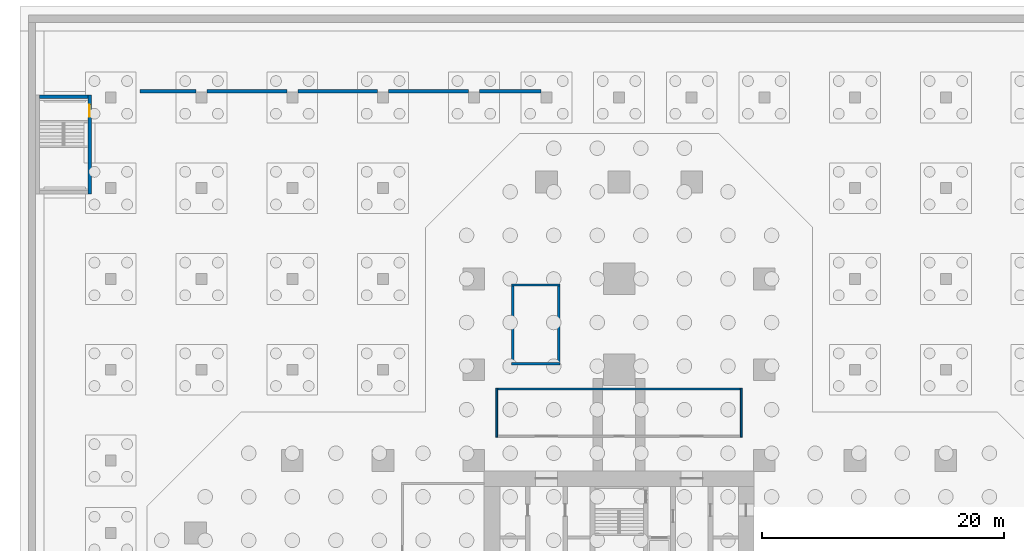
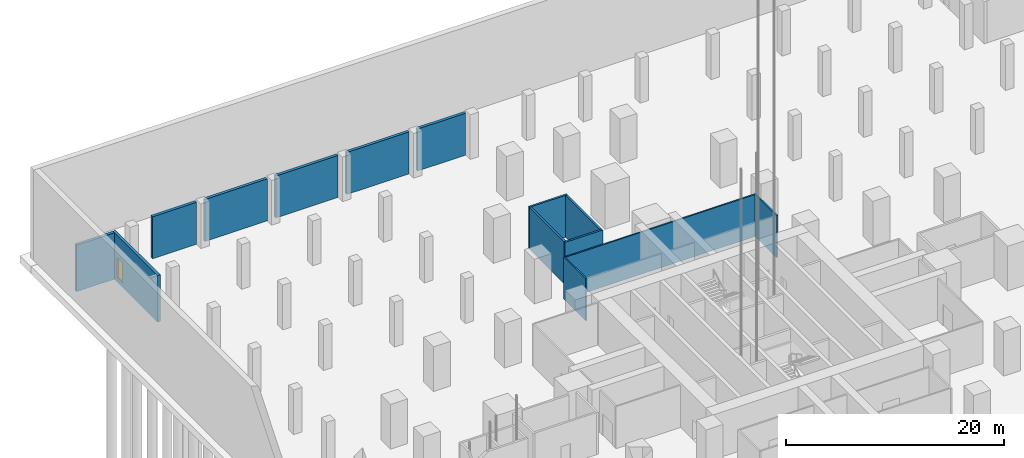
# One storey, part 13 of 31: 14 walls, 1 door, 1 opening.
"""IFC4 building model written with IfcOpenShell, lengths in metres."""

from ifc_helpers import new_model, si_unit, direction, frame, frame_2d, origin, place, context, subcontext, project, spatial, rectangle, extrude, material, layer, layer_set, type_object, element, fill, save


model = new_model("IFC4")

# Units and contexts
model_context = context("Model", 3, precision=1e-05, world=origin(), true_north=direction((0.0, 1.0)))
body_context = subcontext(model_context, "Body", "Model", "MODEL_VIEW")
ifc_project = project(units=[si_unit("LENGTHUNIT", "METRE"), si_unit("AREAUNIT", "SQUARE_METRE"), si_unit("VOLUMEUNIT", "CUBIC_METRE"), si_unit("PLANEANGLEUNIT", "RADIAN"), si_unit("MASSUNIT", "GRAM", prefix="KILO")], contexts=[model_context])

# Site, building, storey
site_placement = place(None, origin())
site = spatial("IfcSite", under=ifc_project, at=site_placement, CompositionType="ELEMENT")
building_placement = place(site_placement, origin())
building = spatial("IfcBuilding", under=site, at=building_placement, Name="Mizan Broadcast Tower", CompositionType="ELEMENT")
storey_placement = place(building_placement, frame((0.0, 0.0, -10.0)))
storey = spatial("IfcBuildingStorey", under=building, at=storey_placement, Name="B2", CompositionType="ELEMENT", Elevation=-10.0)

# Walls
ifc_material_1 = material(Name="Concrete blockwork", Category="masonry")
ifc_layer_1 = layer(ifc_material_1, 0.199951171875)
ifc_layer_set_1 = layer_set([ifc_layer_1], Name="Concrete blockwork")
wall_type_1 = type_object("IfcWallType", Name="LIFT SHAFT WALL 200", PredefinedType="SOLIDWALL", material=ifc_layer_set_1)
for number, where, z_axis, x_axis, name in (
    (1, (-4.89990234375, 20.0, 0.0), (0.0, 0.0, 1.0), (-1.0, 0.0, 0.0), "Lift shaft wall GLS/U0"),
    (2, (-8.89990234375, 26.5, 0.0), (0.0, 0.0, 1.0), (1.0, 0.0, 0.0), "Lift shaft wall GLS/U1"),
):
    element("IfcWall", number, at=place(storey_placement, frame(where, z_axis=z_axis, x_axis=x_axis)), inside=storey, type_object=wall_type_1, Name=name, PredefinedType="SOLIDWALL", context=body_context, shape_type="SweptSolid", body=[
        extrude(rectangle(XDim=4.0, YDim=0.199951171875, at=frame_2d((2.0, 0.0))), origin(), (0.0, 0.0, 1.0), 4.699951171875),
    ])
for number, where, z_axis, x_axis, name in (
    (3, (-5.0, 20.10009765625, 0.0), (0.0, 0.0, 1.0), (0.0, 1.0, 0.0), "Lift shaft wall GLS/V0"),
    (4, (-8.800048828125, 26.39990234375, 0.0), (0.0, 0.0, 1.0), (0.0, -1.0, 0.0), "Lift shaft wall GLS/V1"),
):
    element("IfcWall", number, at=place(storey_placement, frame(where, z_axis=z_axis, x_axis=x_axis)), inside=storey, type_object=wall_type_1, Name=name, PredefinedType="SOLIDWALL", context=body_context, shape_type="SweptSolid", body=[
        extrude(rectangle(XDim=6.2998046875, YDim=0.199951171875, at=frame_2d((3.14990234375, 0.0))), origin(), (0.0, 0.0, 1.0), 4.699951171875),
    ])
ifc_material_2 = material(Name="Concrete blockwork", Category="masonry")
ifc_layer_2 = layer(ifc_material_2, 0.14990234375)
ifc_layer_set_2 = layer_set([ifc_layer_2], Name="Concrete blockwork")
wall_type_2 = type_object("IfcWallType", Name="PLANT ROOM ENCLOSURE WALL 150", PredefinedType="SOLIDWALL", material=ifc_layer_set_2)
for number, where, z_axis, x_axis, name in (
    (5, (10.10009765625, 13.925048828125, 0.0), (0.0, 0.0, 1.0), (0.0, 1.0, 0.0), "Plant room wall PT/NS"),
    (6, (-10.10009765625, 13.925048828125, 0.0), (0.0, 0.0, 1.0), (0.0, 1.0, 0.0), "Plant room wall PT/NN"),
):
    element("IfcWall", number, at=place(storey_placement, frame(where, z_axis=z_axis, x_axis=x_axis)), inside=storey, type_object=wall_type_2, Name=name, PredefinedType="SOLIDWALL", context=body_context, shape_type="SweptSolid", body=[
        extrude(rectangle(XDim=4.050048828125, YDim=0.14990234375, at=frame_2d((2.02490234375, 0.0))), origin(), (0.0, 0.0, 1.0), 4.699951171875),
    ])
wall_1_placement = place(storey_placement, frame((10.02490234375, 17.89990234375, 0.0), z_axis=(0.0, 0.0, 1.0), x_axis=(-1.0, 0.0, 0.0)))
element("IfcWall", 7, at=wall_1_placement, inside=storey, type_object=wall_type_2, Name="Plant room wall PT/NX", PredefinedType="SOLIDWALL", context=body_context, shape_type="SweptSolid", body=[
    extrude(rectangle(XDim=20.0498046875, YDim=0.14990234375, at=frame_2d((10.02490234375, 0.0))), origin(), (0.0, 0.0, 1.0), 4.699951171875),
])
ifc_material_3 = material(Name="Concrete C70/85", Category="concrete")
ifc_layer_3 = layer(ifc_material_3, 0.300048828125)
ifc_layer_set_3 = layer_set([ifc_layer_3], Name="Concrete C70/85")
wall_type_3 = type_object("IfcWallType", Name="RAMP WALL 300", PredefinedType="SOLIDWALL", material=ifc_layer_set_3)
wall_2_placement = place(storey_placement, frame((-39.60009765625, 42.5, 0.0), z_axis=(0.0, 0.0, 1.0), x_axis=(1.0, 0.0, 0.0)))
element("IfcWall", 8, at=wall_2_placement, inside=storey, type_object=wall_type_3, Name="Car ramp wall base 1", PredefinedType="SOLIDWALL", context=body_context, shape_type="SweptSolid", body=[
    extrude(rectangle(XDim=4.650146484375, YDim=0.300048828125, at=frame_2d((2.3251953125, 0.0))), origin(), (0.0, 0.0, 1.0), 4.699951171875),
])
for number, where, z_axis, x_axis, name in (
    (9, (-34.050048828125, 42.5, 0.0), (0.0, 0.0, 1.0), (1.0, 0.0, 0.0), "Car ramp wall base 2"),
    (10, (-26.550048828125, 42.5, 0.0), (0.0, 0.0, 1.0), (1.0, 0.0, 0.0), "Car ramp wall base 3"),
    (11, (-19.050048828125, 42.5, 0.0), (0.0, 0.0, 1.0), (1.0, 0.0, 0.0), "Car ramp wall base 4"),
):
    element("IfcWall", number, at=place(storey_placement, frame(where, z_axis=z_axis, x_axis=x_axis)), inside=storey, type_object=wall_type_3, Name=name, PredefinedType="SOLIDWALL", context=body_context, shape_type="SweptSolid", body=[
        extrude(rectangle(XDim=6.60009765625, YDim=0.300048828125, at=frame_2d((3.300048828125, 0.0))), origin(), (0.0, 0.0, 1.0), 4.699951171875),
    ])
wall_3_placement = place(storey_placement, frame((-11.550048828125, 42.5, 0.0), z_axis=(0.0, 0.0, 1.0), x_axis=(1.0, 0.0, 0.0)))
element("IfcWall", 12, at=wall_3_placement, inside=storey, type_object=wall_type_3, Name="Car ramp wall base 5", PredefinedType="SOLIDWALL", context=body_context, shape_type="SweptSolid", body=[
    extrude(rectangle(XDim=5.10009765625, YDim=0.300048828125, at=frame_2d((2.550048828125, 0.0))), origin(), (0.0, 0.0, 1.0), 4.699951171875),
])

# Wall, opening, door
ifc_material_4 = material(Name="Concrete C40/50", Category="concrete")
ifc_layer_4 = layer(ifc_material_4, 0.300048828125)
ifc_layer_set_4 = layer_set([ifc_layer_4], Name="Concrete C40/50")
wall_type_4 = type_object("IfcWallType", Name="STAIR SHAFT WALL 300 RC", PredefinedType="SOLIDWALL", material=ifc_layer_set_4)
wall_4_placement = place(storey_placement, frame((-43.75, 42.199951171875, -0.5), z_axis=(0.0, 0.0, 1.0), x_axis=(0.0, -1.0, 0.0)))
wall_4 = element("IfcWall", 13, at=wall_4_placement, inside=storey, type_object=wall_type_4, Name="Stair shaft wall F I", PredefinedType="SOLIDWALL", context=body_context, shape_type="SweptSolid", body=[
    extrude(rectangle(XDim=8.199951171875, YDim=0.300048828125, at=frame_2d((4.10009765625, 0.0))), origin(), (0.0, 0.0, 1.0), 5.199951171875),
])
opening_placement = place(wall_4_placement, frame((0.800048828125, 0.0, 0.5)))
opening = element("IfcOpeningElement", 14, at=opening_placement, cuts=wall_4, Name="Opening D10S", PredefinedType="OPENING", context=body_context, shape_type="SweptSolid", body=[
    extrude(rectangle(XDim=1.0, YDim=2.199951171875, at=frame_2d((0.5, 1.10009765625))), frame((0.0, 0.159912109375, 0.0), z_axis=(0.0, -1.0, 0.0), x_axis=(1.0, 0.0, 0.0)), (0.0, 0.0, 1.0), 0.320068359375),
])
ifc_material_5 = material(Name="Steel door leaf in steel frame", Category="steel")
door_type = type_object("IfcDoorType", Name="STAIR DOOR 1000 FD90S", OperationType="SINGLE_SWING_RIGHT", PredefinedType="DOOR", material=ifc_material_5)
door_placement = place(opening_placement, origin())
door = element("IfcDoor", 15, at=door_placement, inside=storey, type_object=door_type, Name="Stair F door", OperationType="SINGLE_SWING_RIGHT", OverallHeight=2.199951171875, OverallWidth=1.0, PredefinedType="DOOR", context=body_context, shape_type="SweptSolid", body=[
    extrude(rectangle(XDim=1.0, YDim=2.199951171875, at=frame_2d((0.5, 1.10009765625))), frame((0.0, 0.02490234375, 0.0), z_axis=(0.0, -1.0, 0.0), x_axis=(1.0, 0.0, 0.0)), (0.0, 0.0, 1.0), 0.050048828125),
])
fill(opening, door)

# Wall
wall_5_placement = place(storey_placement, frame((-43.89990234375, 42.050048828125, -0.5), z_axis=(0.0, 0.0, 1.0), x_axis=(-1.0, 0.0, 0.0)))
element("IfcWall", 16, at=wall_5_placement, inside=storey, type_object=wall_type_4, Name="Stair shaft wall F D", PredefinedType="SOLIDWALL", context=body_context, shape_type="SweptSolid", body=[
    extrude(rectangle(XDim=4.0, YDim=0.300048828125, at=frame_2d((2.0, 0.0))), origin(), (0.0, 0.0, 1.0), 5.199951171875),
])

save(model, "model.ifc")
